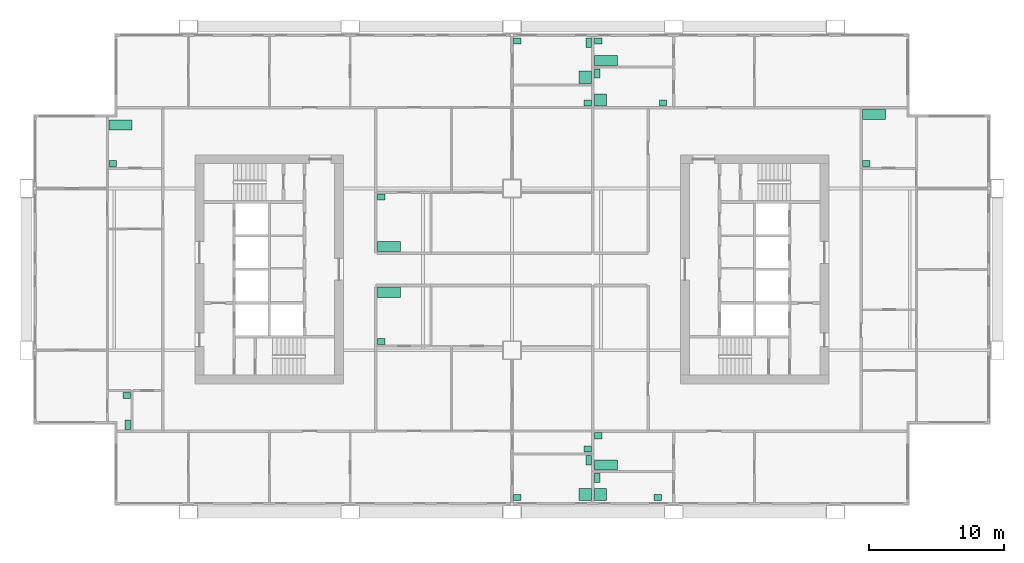
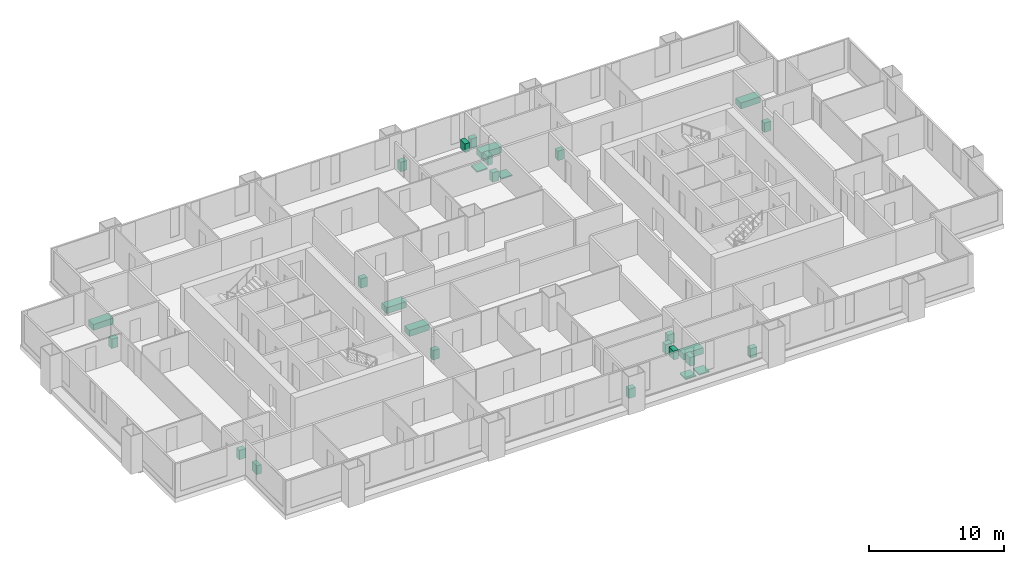
# One storey, part 11 of 11: 28 sanitary terminals.
"""IFC4 building model written with IfcOpenShell, lengths in metres."""

from ifc_helpers import new_model, si_unit, direction, frame, origin, origin_2d, place, context, subcontext, project, spatial, rectangle, extrude, material, type_object, element, save


model = new_model("IFC4")

# Units and contexts
model_context = context("Model", 3, precision=1e-05, world=origin(), true_north=direction((0.0, 1.0)))
body_context = subcontext(model_context, "Body", "Model", "MODEL_VIEW")
ifc_project = project(units=[si_unit("LENGTHUNIT", "METRE"), si_unit("AREAUNIT", "SQUARE_METRE"), si_unit("VOLUMEUNIT", "CUBIC_METRE"), si_unit("PLANEANGLEUNIT", "RADIAN"), si_unit("MASSUNIT", "GRAM", prefix="KILO")], contexts=[model_context])

# Site, building, storey
site_placement = place(None, origin())
site = spatial("IfcSite", under=ifc_project, at=site_placement, CompositionType="ELEMENT")
building_placement = place(site_placement, origin())
building = spatial("IfcBuilding", under=site, at=building_placement, Name="Kitamizu Gate Tower and Museum", CompositionType="ELEMENT")
storey_placement = place(building_placement, frame((0.0, 0.0, 124.199951171875)))
storey = spatial("IfcBuildingStorey", under=building, at=storey_placement, Name="L32", CompositionType="ELEMENT", Elevation=124.199951171875)

# Sanitary terminals
ifc_material_1 = material(Name="Acrylic")
sanitary_terminal_type_1 = type_object("IfcSanitaryTerminalType", Name="Bath", PredefinedType="BATH", material=ifc_material_1)
for number, where, z_axis, x_axis, name in (
    (1, (26.8701171875, 28.304931640625, 0.0009765625), (0.0, 0.0, 1.0), (1.0, 0.0, 0.0), "Bath Bathroom 32A"),
    (2, (6.969970703125, 40.705078125, 0.0009765625), (0.0, 0.0, 1.0), (1.0, 0.0, 0.0), "Bath Bathroom 32B"),
    (3, (26.8701171875, 31.695068359375, 0.0009765625), (0.0, 0.0, 1.0), (1.0, 0.0, 0.0), "Bath Bathroom 32C"),
    (4, (42.969970703125, 15.4951171875, 0.0009765625), (0.0, 0.0, 1.0), (1.0, 0.0, 0.0), "Bath Bathroom 32D"),
    (5, (62.8701171875, 41.5048828125, 0.0009765625), (0.0, 0.0, 1.0), (1.0, 0.0, 0.0), "Bath Bathroom and WC 32F"),
    (6, (42.969970703125, 45.4951171875, 0.0009765625), (0.0, 0.0, 1.0), (1.0, 0.0, 0.0), "Bath Bathroom 32G"),
):
    element("IfcSanitaryTerminal", number, at=place(storey_placement, frame(where, z_axis=z_axis, x_axis=x_axis)), inside=storey, type_object=sanitary_terminal_type_1, Name=name, PredefinedType="BATH", context=body_context, shape_type="SweptSolid", body=[
        extrude(rectangle(XDim=1.699951171875, YDim=0.75, at=origin_2d()), origin(), (0.0, 0.0, 1.0), 0.550048828125),
    ])
ifc_material_2 = material(Name="Acrylic")
sanitary_terminal_type_2 = type_object("IfcSanitaryTerminalType", Name="Shower tray", PredefinedType="SHOWER", material=ifc_material_2)
for number, where, z_axis, x_axis, name in (
    (7, (41.429931640625, 13.2900390625, 0.0009765625), (0.0, 0.0, 1.0), (1.0, 0.0, 0.0), "Shower tray En-suite bathroom and WC 32A"),
    (8, (41.429931640625, 44.25, 0.0009765625), (0.0, 0.0, 1.0), (1.0, 0.0, 0.0), "Shower tray En-suite bathroom and WC 32C"),
    (9, (42.570068359375, 13.2900390625, 0.0009765625), (0.0, 0.0, 1.0), (1.0, 0.0, 0.0), "Shower tray En-suite bathroom and WC 32D"),
    (10, (42.570068359375, 42.570068359375, 0.0009765625), (0.0, 0.0, 1.0), (1.0, 0.0, 0.0), "Shower tray En-suite bathroom and WC 32G"),
):
    element("IfcSanitaryTerminal", number, at=place(storey_placement, frame(where, z_axis=z_axis, x_axis=x_axis)), inside=storey, type_object=sanitary_terminal_type_2, Name=name, PredefinedType="SHOWER", context=body_context, shape_type="SweptSolid", body=[
        extrude(rectangle(XDim=0.89990234375, YDim=0.89990234375, at=origin_2d()), origin(), (0.0, 0.0, 1.0), 0.10009765625),
    ])
ifc_material_3 = material(Name="Vitreous china")
sanitary_terminal_type_3 = type_object("IfcSanitaryTerminalType", Name="Wash hand basin", PredefinedType="WASHHANDBASIN", material=ifc_material_3)
for number, where, z_axis, x_axis, name in (
    (11, (36.39501953125, 13.06494140625, 0.0009765625), (0.0, 0.0, 1.0), (1.0, 0.0, 0.0), "Wash hand basin En-suite bathroom and WC 32A"),
    (12, (41.60498046875, 16.6650390625, 0.0009765625), (0.0, 0.0, 1.0), (1.0, 0.0, 0.0), "Wash hand basin Wash room 32A"),
    (13, (26.294921875, 24.64501953125, 0.0009765625), (0.0, 0.0, 1.0), (1.0, 0.0, 0.0), "Wash hand basin Bathroom 32A"),
    (14, (7.405029296875, 20.655029296875, 0.0009765625), (0.0, 0.0, 1.0), (1.0, 0.0, 0.0), "Wash hand basin WC 32B"),
    (15, (6.39501953125, 37.844970703125, 0.0009765625), (0.0, 0.0, 1.0), (1.0, 0.0, 0.0), "Wash hand basin Bathroom 32B"),
    (16, (36.39501953125, 46.93505859375, 0.0009765625), (0.0, 0.0, 1.0), (1.0, 0.0, 0.0), "Wash hand basin En-suite bathroom and WC 32C"),
    (17, (41.60498046875, 42.344970703125, 0.0009765625), (0.0, 0.0, 1.0), (1.0, 0.0, 0.0), "Wash hand basin Wash room 32C"),
    (18, (26.294921875, 35.35498046875, 0.0009765625), (0.0, 0.0, 1.0), (1.0, 0.0, 0.0), "Wash hand basin Bathroom 32C"),
    (19, (46.804931640625, 13.06494140625, 0.0009765625), (0.0, 0.0, 1.0), (1.0, 0.0, 0.0), "Wash hand basin En-suite bathroom and WC 32D"),
    (20, (42.39501953125, 17.655029296875, 0.0009765625), (0.0, 0.0, 1.0), (1.0, 0.0, 0.0), "Wash hand basin Bathroom 32D"),
    (21, (62.294921875, 37.844970703125, 0.0009765625), (0.0, 0.0, 1.0), (1.0, 0.0, 0.0), "Wash hand basin Bathroom and WC 32F"),
    (22, (47.205078125, 42.344970703125, 0.0009765625), (0.0, 0.0, 1.0), (1.0, 0.0, 0.0), "Wash hand basin En-suite bathroom and WC 32G"),
    (23, (42.39501953125, 46.93505859375, 0.0009765625), (0.0, 0.0, 1.0), (1.0, 0.0, 0.0), "Wash hand basin Bathroom 32G"),
):
    element("IfcSanitaryTerminal", number, at=place(storey_placement, frame(where, z_axis=z_axis, x_axis=x_axis)), inside=storey, type_object=sanitary_terminal_type_3, Name=name, PredefinedType="WASHHANDBASIN", context=body_context, shape_type="SweptSolid", body=[
        extrude(rectangle(XDim=0.550048828125, YDim=0.449951171875, at=origin_2d()), origin(), (0.0, 0.0, 1.0), 0.85009765625),
    ])
ifc_material_4 = material(Name="Vitreous china")
sanitary_terminal_type_4 = type_object("IfcSanitaryTerminalType", Name="Water closet", PredefinedType="TOILETPAN", material=ifc_material_4)
for number, where, z_axis, x_axis, name in (
    (24, (41.679931640625, 15.85009765625, 0.0009765625), (0.0, 0.0, 1.0), (1.0, 0.0, 0.0), "Water closet En-suite bathroom and WC 32A"),
    (25, (7.47998046875, 18.469970703125, 0.0009765625), (0.0, 0.0, 1.0), (1.0, 0.0, 0.0), "Water closet WC 32B"),
    (26, (41.679931640625, 46.81005859375, 0.0009765625), (0.0, 0.0, 1.0), (1.0, 0.0, 0.0), "Water closet En-suite bathroom and WC 32C"),
    (27, (42.320068359375, 14.530029296875, 0.0009765625), (0.0, 0.0, 1.0), (1.0, 0.0, 0.0), "Water closet En-suite bathroom and WC 32D"),
    (28, (42.320068359375, 44.530029296875, 0.0009765625), (0.0, 0.0, 1.0), (1.0, 0.0, 0.0), "Water closet En-suite bathroom and WC 32G"),
):
    element("IfcSanitaryTerminal", number, at=place(storey_placement, frame(where, z_axis=z_axis, x_axis=x_axis)), inside=storey, type_object=sanitary_terminal_type_4, Name=name, PredefinedType="TOILETPAN", context=body_context, shape_type="SweptSolid", body=[
        extrude(rectangle(XDim=0.39990234375, YDim=0.699951171875, at=origin_2d()), origin(), (0.0, 0.0, 1.0), 0.800048828125),
    ])

save(model, "model.ifc")
